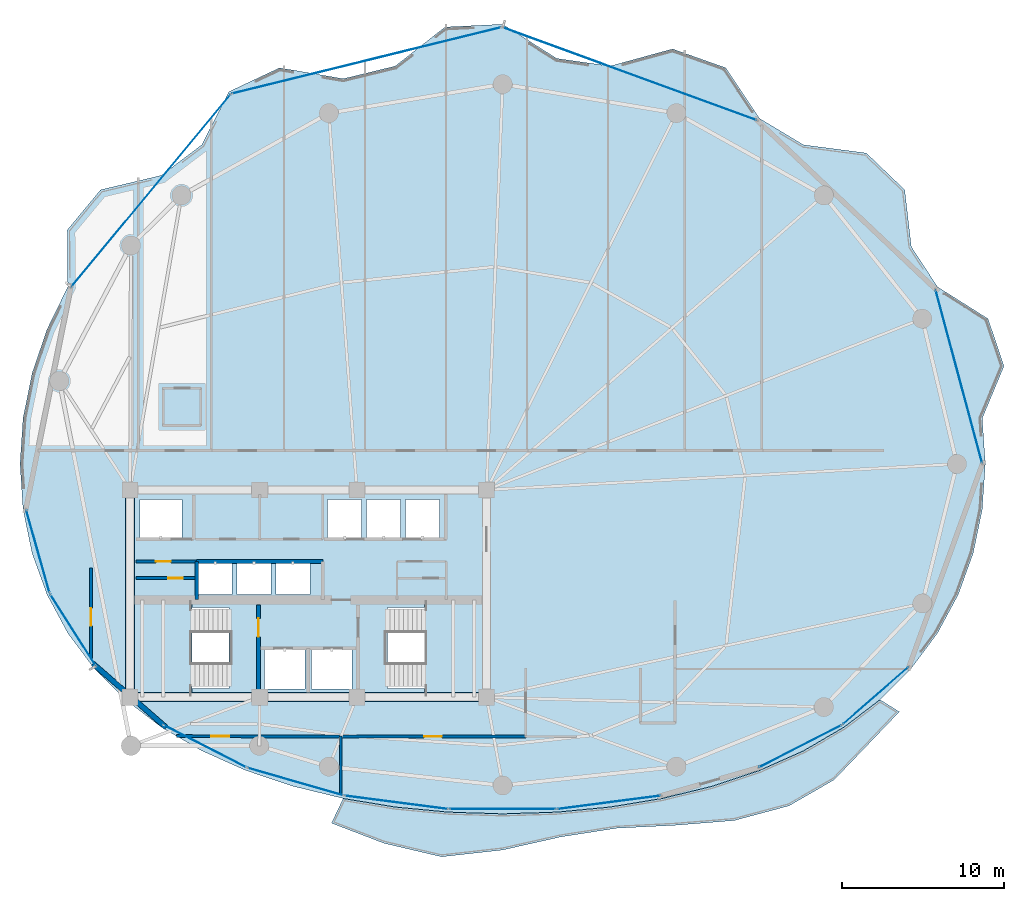
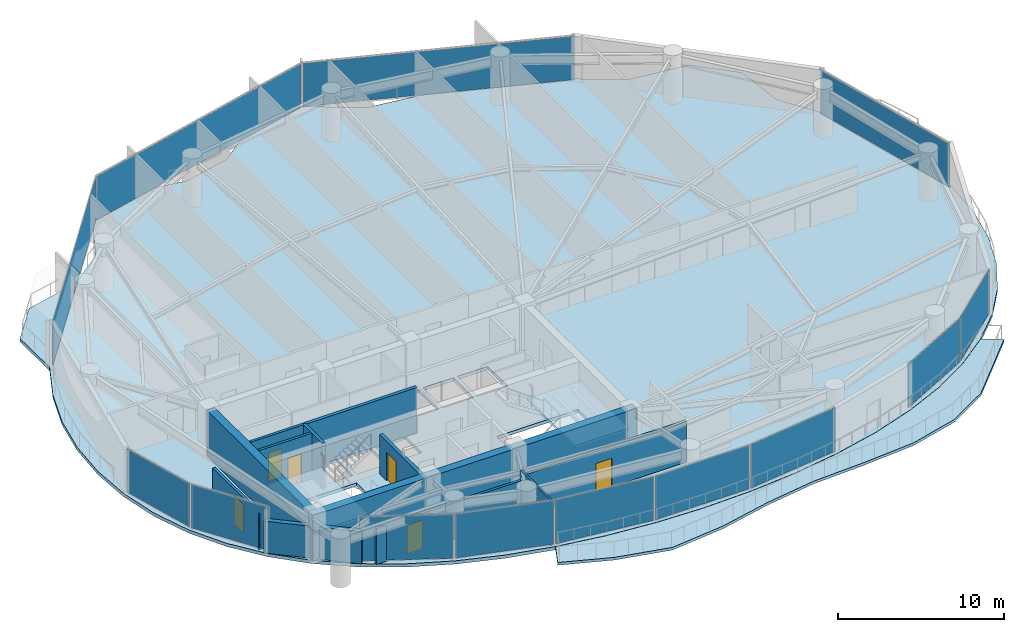
# One storey, part 22 of 28: 13 plates, 12 walls, 6 doors, 4 slabs, 6 openings, 15 elements without a shape of their own.
"""IFC4 building model written with IfcOpenShell, lengths in metres."""

import ifcopenshell
import ifcopenshell.guid

model = None  # the IFC model being written
_history = None  # IfcOwnerHistory: only IFC2X3 demands one
_inside = {}  # id of a spatial element -> (the spatial element, [elements in it])
_under = {}  # id of a project, library or spatial element -> (it, [spatial elements below it])
_declared = {}  # id of a project -> (the project, [libraries it declares])
_typed = {}  # id of a type object -> (the type object, [elements of that type])
_made_of = {}  # id of a material, layer set ... -> (it, [elements and type objects made of it])


def new_model(schema):
    """Start an empty IFC model of exactly this schema.

    Asked for "IFC4X3", IfcOpenShell would pick the latest addendum, in which some entities
    have other attributes; the version numbers below select the first issue.
    IFC2X3 requires an IfcOwnerHistory on every rooted entity: one is made here for all.
    """
    global model, _history
    if schema == "IFC4X3":
        model = ifcopenshell.file(schema_version=(4, 3, 0, 0))
    else:
        model = ifcopenshell.file(schema=schema)
    _inside.clear()
    _under.clear()
    _declared.clear()
    _typed.clear()
    _made_of.clear()
    _history = None
    if model.schema == "IFC2X3":
        org = make("IfcOrganization", Name="unknown")
        user = make(
            "IfcPersonAndOrganization",
            ThePerson=make("IfcPerson", FamilyName="unknown"),
            TheOrganization=org,
        )
        app = make(
            "IfcApplication",
            ApplicationDeveloper=org,
            Version="unknown",
            ApplicationFullName="unknown",
            ApplicationIdentifier="unknown",
        )
        _history = make(
            "IfcOwnerHistory",
            OwningUser=user,
            OwningApplication=app,
            ChangeAction="ADDED",
            CreationDate=0,
        )
    return model


def make(cls, **values):
    """One entity of the class cls with the attributes given. An attribute that is None is left unset."""
    return model.create_entity(
        cls, **{name: value for name, value in values.items() if value is not None}
    )


def rooted(cls, **values):
    """An entity with a GlobalId (a new one), such as an element, a storey or a relation."""
    return make(cls, GlobalId=ifcopenshell.guid.new(), OwnerHistory=_history, **values)


def si_unit(unit_type, name, prefix=None):
    """IfcSIUnit, for example si_unit("LENGTHUNIT", "METRE", prefix="MILLI")."""
    return make("IfcSIUnit", UnitType=unit_type, Prefix=prefix, Name=name)


def assignment(units):
    """IfcUnitAssignment: the units of a project."""
    return None if units is None else make("IfcUnitAssignment", Units=units)


def point(xyz):
    """IfcCartesianPoint."""
    return None if xyz is None else make("IfcCartesianPoint", Coordinates=xyz)


def direction(xyz):
    """IfcDirection."""
    return None if xyz is None else make("IfcDirection", DirectionRatios=xyz)


def frame(location, z_axis=None, x_axis=None):
    """IfcAxis2Placement3D, a coordinate frame: its origin and axes. An axis left out is left unset."""
    return make(
        "IfcAxis2Placement3D",
        Location=point(location),
        Axis=direction(z_axis),
        RefDirection=direction(x_axis),
    )


def frame_2d(location, x_axis=None):
    """IfcAxis2Placement2D, a coordinate frame in the plane: its origin and x axis."""
    return make(
        "IfcAxis2Placement2D", Location=point(location), RefDirection=direction(x_axis)
    )


def origin():
    """The frame at (0, 0, 0) with its axes left unset."""
    return frame((0.0, 0.0, 0.0))


def origin_2d():
    """The frame at (0, 0) in the plane with its x axis left unset."""
    return frame_2d((0.0, 0.0))


def place(relative_to, where):
    """IfcLocalPlacement: puts the frame where relative to a parent placement (None: the world)."""
    return make(
        "IfcLocalPlacement", PlacementRelTo=relative_to, RelativePlacement=where
    )


def context(
    kind, dimensions, precision=None, world=None, true_north=None, identifier=None
):
    """IfcGeometricRepresentationContext, for example the 3D "Model" context."""
    return make(
        "IfcGeometricRepresentationContext",
        ContextIdentifier=identifier,
        ContextType=kind,
        CoordinateSpaceDimension=dimensions,
        Precision=precision,
        WorldCoordinateSystem=world,
        TrueNorth=true_north,
    )


def subcontext(parent, identifier, kind, view, scale=None):
    """IfcGeometricRepresentationSubContext, for example "Body" below "Model"."""
    return make(
        "IfcGeometricRepresentationSubContext",
        ContextIdentifier=identifier,
        ContextType=kind,
        ParentContext=parent,
        TargetScale=scale,
        TargetView=view,
    )


def project(units=None, contexts=None):
    """IfcProject with its units and contexts."""
    return rooted(
        "IfcProject",
        Name="project",
        RepresentationContexts=contexts,
        UnitsInContext=assignment(units),
    )


def spatial(cls, under=None, at=None, **own):
    """A site, building, storey or space (cls), placed at a placement, below another one or the project."""
    s = rooted(cls, ObjectPlacement=at, **own)
    if under is not None:
        _under.setdefault(under.id(), (under, []))[1].append(s)
    return s


def polyline(points):
    """IfcPolyline through the points."""
    return make("IfcPolyline", Points=[point(p) for p in points])


def profile(cls, at=None, kind="AREA", **sizes):
    """A parametric profile (cls). Its sizes go by their IFC names, for example OverallWidth=200.0."""
    return make(cls, ProfileType=kind, Position=at, **sizes)


def rectangle(**sizes):
    """IfcRectangleProfileDef."""
    return profile("IfcRectangleProfileDef", **sizes)


def outline(outer, holes=None, kind="AREA"):
    """IfcArbitraryClosedProfileDef: a profile drawn as a closed curve; with holes, ...WithVoids."""
    if holes is None:
        return make("IfcArbitraryClosedProfileDef", ProfileType=kind, OuterCurve=outer)
    return make(
        "IfcArbitraryProfileDefWithVoids",
        ProfileType=kind,
        OuterCurve=outer,
        InnerCurves=holes,
    )


def extrude(swept, where, along, depth):
    """IfcExtrudedAreaSolid: the profile swept, set in the frame where, extruded along a direction by depth."""
    return make(
        "IfcExtrudedAreaSolid",
        SweptArea=swept,
        Position=where,
        ExtrudedDirection=direction(along),
        Depth=depth,
    )


def shape(context_of_items, identifier, shape_type, items):
    """IfcShapeRepresentation: the items that make up one representation, for example the "Body"."""
    return make(
        "IfcShapeRepresentation",
        ContextOfItems=context_of_items,
        RepresentationIdentifier=identifier,
        RepresentationType=shape_type,
        Items=items,
    )


def material(Name=None, Category=None):
    """IfcMaterial."""
    return make("IfcMaterial", Name=Name, Category=Category)


def layer(
    of_material, thickness, ventilated=None, Name=None, Category=None, Priority=None
):
    """IfcMaterialLayer: one layer of a wall or slab, of a material (None: an air gap)."""
    return make(
        "IfcMaterialLayer",
        Material=of_material,
        LayerThickness=thickness,
        IsVentilated=ventilated,
        Name=Name,
        Category=Category,
        Priority=Priority,
    )


def layer_set(layers, Name=None):
    """IfcMaterialLayerSet."""
    return make("IfcMaterialLayerSet", MaterialLayers=layers, LayerSetName=Name)


def made_of(thing, what):
    """Note that an element or type object is made of a material, layer set ...; save() writes the relation."""
    if what is not None:
        _made_of.setdefault(what.id(), (what, []))[1].append(thing)
    return thing


def type_object(cls, material=None, **own):
    """A type object (cls), such as IfcWallType, which elements share."""
    return made_of(rooted(cls, **own), material)


def element(
    cls,
    number,
    at=None,
    inside=None,
    cuts=None,
    type_object=None,
    material=None,
    context=None,
    identifier="Body",
    shape_type=None,
    held_by="IfcProductDefinitionShape",
    body=None,
    shapes=None,
    **own,
):
    """One element of the class cls, such as IfcWall. Its Tag is "e" and its number.

    at: its placement. inside: the storey or other place that contains it. cuts: it is an
    opening in that element (IfcRelVoidsElement). A single representation is given by context,
    identifier, shape_type and body (its items); several are given by shapes. held_by: the class
    of the entity that holds the representations. save() writes the other relations.
    """
    e = rooted(cls, Tag="e%d" % number, ObjectPlacement=at, **own)
    if body is not None:
        shapes = [shape(context, identifier, shape_type, body)]
    if shapes is not None:
        e.Representation = make(held_by, Representations=shapes)
    if inside is not None:
        _inside.setdefault(inside.id(), (inside, []))[1].append(e)
    if cuts is not None:
        rooted(
            "IfcRelVoidsElement", RelatingBuildingElement=cuts, RelatedOpeningElement=e
        )
    if type_object is not None:
        _typed.setdefault(type_object.id(), (type_object, []))[1].append(e)
    return made_of(e, material)


def fill(opening, filler):
    """IfcRelFillsElement: the door or window that sits in an opening."""
    return rooted(
        "IfcRelFillsElement",
        RelatingOpeningElement=opening,
        RelatedBuildingElement=filler,
    )


def aggregate(whole, parts):
    """IfcRelAggregates: a whole, such as a stair, and the parts it consists of."""
    return rooted("IfcRelAggregates", RelatingObject=whole, RelatedObjects=parts)


def save(model, path):
    """Write the relations noted so far, then the file.

    IfcRelAggregates (storeys below a building ...), IfcRelContainedInSpatialStructure (elements
    in a storey), IfcRelDefinesByType, IfcRelAssociatesMaterial and IfcRelDeclares: one each for
    every whole, place, type object, material and project.
    """
    for whole, parts in _under.values():
        aggregate(whole, parts)
    for where, things in _inside.values():
        rooted(
            "IfcRelContainedInSpatialStructure",
            RelatedElements=things,
            RelatingStructure=where,
        )
    for kind, things in _typed.values():
        rooted("IfcRelDefinesByType", RelatedObjects=things, RelatingType=kind)
    for what, things in _made_of.values():
        rooted("IfcRelAssociatesMaterial", RelatedObjects=things, RelatingMaterial=what)
    for by, libraries in _declared.values():
        rooted("IfcRelDeclares", RelatingContext=by, RelatedDefinitions=libraries)
    model.write(path)


model = new_model("IFC4")

# Units and contexts
model_context = context("Model", 3, precision=1e-05, world=origin(), true_north=direction((0.0, 1.0)))
body_context = subcontext(model_context, "Body", "Model", "MODEL_VIEW")
ifc_project = project(units=[si_unit("LENGTHUNIT", "METRE"), si_unit("AREAUNIT", "SQUARE_METRE"), si_unit("VOLUMEUNIT", "CUBIC_METRE"), si_unit("PLANEANGLEUNIT", "RADIAN"), si_unit("MASSUNIT", "GRAM", prefix="KILO")], contexts=[model_context])

# Site, building, storey
site_placement = place(None, origin())
site = spatial("IfcSite", under=ifc_project, at=site_placement, CompositionType="ELEMENT")
building_placement = place(site_placement, origin())
building = spatial("IfcBuilding", under=site, at=building_placement, Name="Kazevale Care Tower and Concert Hall", CompositionType="ELEMENT")
storey_placement = place(building_placement, frame((0.0, 0.0, 135.0)))
storey = spatial("IfcBuildingStorey", under=building, at=storey_placement, Name="L35", CompositionType="ELEMENT", Elevation=135.0)

# Curtain wall, plate
ifc_material_1 = material(Name="Aluminium 6063-T6 and Low-E Glass", Category="aluminium")
ifc_layer_1 = layer(ifc_material_1, 0.179931640625)
ifc_layer_set_1 = layer_set([ifc_layer_1], Name="Aluminium 6063-T6 and Low-E Glass")
curtain_wall_type_1 = type_object("IfcCurtainWallType", Name="Convex Checkerboard Finned Curtain Wall CW-2", PredefinedType="NOTDEFINED", material=ifc_layer_set_1)
curtain_wall_1_placement = place(storey_placement, origin())
curtain_wall_1 = element("IfcCurtainWall", 1, at=curtain_wall_1_placement, inside=storey, type_object=curtain_wall_type_1, Name="cw:L35:f14", PredefinedType="NOTDEFINED")
ifc_material_2 = material(Name="Low-E Laminated Glass", Category="glass")
ifc_layer_2 = layer(ifc_material_2, 0.028076171875)
ifc_layer_set_2 = layer_set([ifc_layer_2], Name="Low-E Laminated Glass")
plate_type_1 = type_object("IfcPlateType", Name="CW-2 Low-E Glazing Panel 28mm", PredefinedType="CURTAIN_PANEL", material=ifc_layer_set_2)
plate_1_placement = place(storey_placement, frame((23.285888671875, 54.87255859375, 0.074951171875), z_axis=(0.0, 0.0, 1.0), x_axis=(0.637984048061, 0.770049579196, 0.0)))
plate_1 = element("IfcPlate", 2, at=plate_1_placement, type_object=plate_type_1, Name="CW-2 panel 1.1", PredefinedType="CURTAIN_PANEL", context=body_context, shape_type="SweptSolid", body=[
    extrude(rectangle(XDim=15.3701171875, YDim=0.028076171875, at=origin_2d()), origin(), (0.0, 0.0, 1.0), 3.2099609375),
])
aggregate(curtain_wall_1, [plate_1])

curtain_wall_2_placement = place(storey_placement, origin())
curtain_wall_2 = element("IfcCurtainWall", 3, at=curtain_wall_2_placement, inside=storey, type_object=curtain_wall_type_1, Name="cw:L35:f16", PredefinedType="NOTDEFINED")
plate_2_placement = place(storey_placement, frame((52.839599609375, 62.08544921875, 0.074951171875), z_axis=(0.0, 0.0, 1.0), x_axis=(0.939283008641, -0.343143453498, 0.0)))
plate_2 = element("IfcPlate", 4, at=plate_2_placement, type_object=plate_type_1, Name="CW-2 panel 1.1", PredefinedType="CURTAIN_PANEL", context=body_context, shape_type="SweptSolid", body=[
    extrude(rectangle(XDim=16.634765625, YDim=0.028076171875, at=origin_2d()), origin(), (0.0, 0.0, 1.0), 3.2099609375),
])
aggregate(curtain_wall_2, [plate_2])

ifc_layer_3 = layer(ifc_material_1, 0.179931640625)
ifc_layer_set_3 = layer_set([ifc_layer_3], Name="Aluminium 6063-T6 and Low-E Glass")
curtain_wall_type_2 = type_object("IfcCurtainWallType", Name="Convex Recessed Sunroom Curtain Wall CW-3", PredefinedType="NOTDEFINED", material=ifc_layer_set_3)
curtain_wall_3_placement = place(storey_placement, origin())
curtain_wall_3 = element("IfcCurtainWall", 5, at=curtain_wall_3_placement, inside=storey, type_object=curtain_wall_type_2, Name="cw:L35:f15", PredefinedType="NOTDEFINED")
ifc_layer_4 = layer(ifc_material_2, 0.028076171875)
ifc_layer_set_4 = layer_set([ifc_layer_4], Name="Low-E Laminated Glass")
plate_type_2 = type_object("IfcPlateType", Name="CW-3 Low-E Glazing Panel 28mm", PredefinedType="CURTAIN_PANEL", material=ifc_layer_set_4)
plate_3_placement = place(storey_placement, frame((36.595947265625, 62.909423828125, 0.074951171875), z_axis=(0.0, 0.0, 1.0), x_axis=(0.970997657217, 0.239088999495, 0.0)))
plate_3 = element("IfcPlate", 6, at=plate_3_placement, type_object=plate_type_2, Name="CW-3 panel 1.1", PredefinedType="CURTAIN_PANEL", context=body_context, shape_type="SweptSolid", body=[
    extrude(rectangle(XDim=17.061279296875, YDim=0.028076171875, at=origin_2d()), origin(), (0.0, 0.0, 1.0), 3.2099609375),
])
aggregate(curtain_wall_3, [plate_3])

ifc_layer_5 = layer(ifc_material_1, 0.179931640625)
ifc_layer_set_5 = layer_set([ifc_layer_5], Name="Aluminium 6063-T6 and Low-E Glass")
curtain_wall_type_3 = type_object("IfcCurtainWallType", Name="Waist & Upper Residential Curtain Wall CW-4", PredefinedType="NOTDEFINED", material=ifc_layer_set_5)
curtain_wall_4_placement = place(storey_placement, origin())
curtain_wall_4 = element("IfcCurtainWall", 7, at=curtain_wall_4_placement, inside=storey, type_object=curtain_wall_type_3, Name="cw:L35:f11", PredefinedType="NOTDEFINED")
ifc_layer_6 = layer(ifc_material_2, 0.030029296875)
ifc_layer_set_6 = layer_set([ifc_layer_6], Name="Low-E Laminated Glass")
plate_type_3 = type_object("IfcPlateType", Name="CW-4 Low-E Glazing Panel 30mm", PredefinedType="CURTAIN_PANEL", material=ifc_layer_set_6)
plate_4_placement = place(storey_placement, frame((18.470458984375, 27.75244140625, 0.080078125), z_axis=(0.0, 0.0, 1.0), x_axis=(-0.537239193981, 0.843429930967, 0.0)))
plate_4 = element("IfcPlate", 8, at=plate_4_placement, type_object=plate_type_3, Name="CW-4 panel 1.1", PredefinedType="CURTAIN_PANEL", context=body_context, shape_type="SweptSolid", body=[
    extrude(rectangle(XDim=5.176513671875, YDim=0.030029296875, at=origin_2d()), origin(), (0.0, 0.0, 1.0), 3.199951171875),
])
aggregate(curtain_wall_4, [plate_4])

curtain_wall_5_placement = place(storey_placement, origin())
curtain_wall_5 = element("IfcCurtainWall", 9, at=curtain_wall_5_placement, inside=storey, type_object=curtain_wall_type_3, Name="cw:L35:f12", PredefinedType="NOTDEFINED")
plate_5_placement = place(storey_placement, frame((16.301513671875, 32.612548828125, 0.080078125), z_axis=(0.0, 0.0, 1.0), x_axis=(-0.271284948278, 0.962499078876, 0.0)))
plate_5 = element("IfcPlate", 10, at=plate_5_placement, type_object=plate_type_3, Name="CW-4 panel 1.1", PredefinedType="CURTAIN_PANEL", context=body_context, shape_type="SweptSolid", body=[
    extrude(rectangle(XDim=5.262451171875, YDim=0.030029296875, at=origin_2d()), origin(), (0.0, 0.0, 1.0), 3.199951171875),
])
aggregate(curtain_wall_5, [plate_5])

curtain_wall_6_placement = place(storey_placement, origin())
curtain_wall_6 = element("IfcCurtainWall", 11, at=curtain_wall_6_placement, inside=storey, type_object=curtain_wall_type_3, Name="cw:L35:f18", PredefinedType="NOTDEFINED")
plate_6_placement = place(storey_placement, frame((73.169921875, 43.401611328125, 0.080078125), z_axis=(0.0, 0.0, 1.0), x_axis=(0.259264848961, -0.965806263229, 0.0)))
plate_6 = element("IfcPlate", 12, at=plate_6_placement, type_object=plate_type_3, Name="CW-4 panel 1.1", PredefinedType="CURTAIN_PANEL", context=body_context, shape_type="SweptSolid", body=[
    extrude(rectangle(XDim=11.025390625, YDim=0.030029296875, at=origin_2d()), origin(), (0.0, 0.0, 1.0), 3.199951171875),
])
aggregate(curtain_wall_6, [plate_6])

ifc_layer_7 = layer(ifc_material_1, 0.179931640625)
ifc_layer_set_7 = layer_set([ifc_layer_7], Name="Aluminium 6063-T6 and Low-E Glass")
curtain_wall_type_4 = type_object("IfcCurtainWallType", Name="Sheltered Concave Balcony Curtain Wall CW-5", PredefinedType="NOTDEFINED", material=ifc_layer_set_7)
curtain_wall_7_placement = place(storey_placement, origin())
curtain_wall_7 = element("IfcCurtainWall", 13, at=curtain_wall_7_placement, inside=storey, type_object=curtain_wall_type_4, Name="cw:L35:f02", PredefinedType="NOTDEFINED")
ifc_layer_8 = layer(ifc_material_2, 0.02587890625)
ifc_layer_set_8 = layer_set([ifc_layer_8], Name="Low-E Laminated Glass")
plate_type_4 = type_object("IfcPlateType", Name="CW-5 Low-E Glazing Panel 26mm", PredefinedType="CURTAIN_PANEL", material=ifc_layer_set_8)
plate_7_placement = place(storey_placement, frame((68.033447265625, 23.699951171875, 0.074951171875), z_axis=(0.0, 0.0, 1.0), x_axis=(-0.753062779437, -0.657948668382, 0.0)))
plate_7 = element("IfcPlate", 14, at=plate_7_placement, type_object=plate_type_4, Name="CW-5 panel 1.1", PredefinedType="CURTAIN_PANEL", context=body_context, shape_type="SweptSolid", body=[
    extrude(rectangle(XDim=5.32763671875, YDim=0.02587890625, at=origin_2d()), origin(), (0.0, 0.0, 1.0), 3.2099609375),
])
aggregate(curtain_wall_7, [plate_7])

curtain_wall_8_placement = place(storey_placement, origin())
curtain_wall_8 = element("IfcCurtainWall", 15, at=curtain_wall_8_placement, inside=storey, type_object=curtain_wall_type_4, Name="cw:L35:f03", PredefinedType="NOTDEFINED")
plate_8_placement = place(storey_placement, frame((63.3798828125, 20.571533203125, 0.074951171875), z_axis=(0.0, 0.0, 1.0), x_axis=(-0.890126646051, -0.455713236575, 0.0)))
plate_8 = element("IfcPlate", 16, at=plate_8_placement, type_object=plate_type_4, Name="CW-5 panel 1.1", PredefinedType="CURTAIN_PANEL", context=body_context, shape_type="SweptSolid", body=[
    extrude(rectangle(XDim=5.671630859375, YDim=0.02587890625, at=origin_2d()), origin(), (0.0, 0.0, 1.0), 3.2099609375),
])
aggregate(curtain_wall_8, [plate_8])

curtain_wall_9_placement = place(storey_placement, origin())
curtain_wall_9 = element("IfcCurtainWall", 17, at=curtain_wall_9_placement, inside=storey, type_object=curtain_wall_type_4, Name="cw:L35:f05", PredefinedType="NOTDEFINED")
plate_9_placement = place(storey_placement, frame((51.5654296875, 17.1044921875, 0.074951171875), z_axis=(0.0, 0.0, 1.0), x_axis=(-0.991685519364, -0.12868500567, 0.0)))
plate_9 = element("IfcPlate", 18, at=plate_9_placement, type_object=plate_type_4, Name="CW-5 panel 1.1", PredefinedType="CURTAIN_PANEL", context=body_context, shape_type="SweptSolid", body=[
    extrude(rectangle(XDim=6.38525390625, YDim=0.02587890625, at=origin_2d()), origin(), (0.0, 0.0, 1.0), 3.2099609375),
])
aggregate(curtain_wall_9, [plate_9])

curtain_wall_10_placement = place(storey_placement, origin())
curtain_wall_10 = element("IfcCurtainWall", 19, at=curtain_wall_10_placement, inside=storey, type_object=curtain_wall_type_4, Name="cw:L35:f06", PredefinedType="NOTDEFINED")
plate_10_placement = place(storey_placement, frame((45.0, 16.68408203125, 0.074951171875), z_axis=(0.0, 0.0, 1.0), x_axis=(-1.0, 0.0, 0.0)))
plate_10 = element("IfcPlate", 20, at=plate_10_placement, type_object=plate_type_4, Name="CW-5 panel 1.1", PredefinedType="CURTAIN_PANEL", context=body_context, shape_type="SweptSolid", body=[
    extrude(rectangle(XDim=6.5, YDim=0.02587890625, at=origin_2d()), origin(), (0.0, 0.0, 1.0), 3.2099609375),
])
aggregate(curtain_wall_10, [plate_10])

curtain_wall_11_placement = place(storey_placement, origin())
curtain_wall_11 = element("IfcCurtainWall", 21, at=curtain_wall_11_placement, inside=storey, type_object=curtain_wall_type_4, Name="cw:L35:f07", PredefinedType="NOTDEFINED")
plate_11_placement = place(storey_placement, frame((38.4345703125, 17.1044921875, 0.074951171875), z_axis=(0.0, 0.0, 1.0), x_axis=(-0.991685519364, 0.12868500567, 0.0)))
plate_11 = element("IfcPlate", 22, at=plate_11_placement, type_object=plate_type_4, Name="CW-5 panel 1.1", PredefinedType="CURTAIN_PANEL", context=body_context, shape_type="SweptSolid", body=[
    extrude(rectangle(XDim=6.38525390625, YDim=0.02587890625, at=origin_2d()), origin(), (0.0, 0.0, 1.0), 3.2099609375),
])
aggregate(curtain_wall_11, [plate_11])

curtain_wall_12_placement = place(storey_placement, origin())
curtain_wall_12 = element("IfcCurtainWall", 23, at=curtain_wall_12_placement, inside=storey, type_object=curtain_wall_type_4, Name="cw:L35:f08", PredefinedType="NOTDEFINED")
plate_12_placement = place(storey_placement, frame((32.202392578125, 18.385009765625, 0.074951171875), z_axis=(0.0, 0.0, 1.0), x_axis=(-0.961074102639, 0.276290733172, 0.0)))
plate_12 = element("IfcPlate", 24, at=plate_12_placement, type_object=plate_type_4, Name="CW-5 panel 1.1", PredefinedType="CURTAIN_PANEL", context=body_context, shape_type="SweptSolid", body=[
    extrude(rectangle(XDim=6.075439453125, YDim=0.02587890625, at=origin_2d()), origin(), (0.0, 0.0, 1.0), 3.2099609375),
])
aggregate(curtain_wall_12, [plate_12])

curtain_wall_13_placement = place(storey_placement, origin())
curtain_wall_13 = element("IfcCurtainWall", 25, at=curtain_wall_13_placement, inside=storey, type_object=curtain_wall_type_4, Name="cw:L35:f09", PredefinedType="NOTDEFINED")
plate_13_placement = place(storey_placement, frame((26.6201171875, 20.571533203125, 0.074951171875), z_axis=(0.0, 0.0, 1.0), x_axis=(-0.890126646051, 0.455713236575, 0.0)))
plate_13 = element("IfcPlate", 26, at=plate_13_placement, type_object=plate_type_4, Name="CW-5 panel 1.1", PredefinedType="CURTAIN_PANEL", context=body_context, shape_type="SweptSolid", body=[
    extrude(rectangle(XDim=5.671630859375, YDim=0.02587890625, at=origin_2d()), origin(), (0.0, 0.0, 1.0), 3.2099609375),
])
aggregate(curtain_wall_13, [plate_13])

# Slab
ifc_material_3 = material(Name="Concrete C40", Category="concrete")
ifc_layer_9 = layer(ifc_material_3, 0.199951171875)
ifc_layer_set_9 = layer_set([ifc_layer_9], Name="Concrete C40")
slab_type_1 = type_object("IfcSlabType", Name="Sinusoidal Concave Balcony Slab 200", PredefinedType="USERDEFINED", material=ifc_layer_set_9)
slab_1_placement = place(storey_placement, frame((0.0, 0.0, -0.199951171875)))
element("IfcSlab", 27, at=slab_1_placement, inside=storey, type_object=slab_type_1, Name="slab:L35:bal", ObjectType="BALCONY", PredefinedType="USERDEFINED", context=body_context, shape_type="SweptSolid", body=[
    extrude(outline(polyline([(69.493896484375, 22.69970703125), (67.515380859375, 20.634521484375), (65.46337890625, 18.4970703125), (62.68408203125, 16.893798828125), (59.302001953125, 15.986083984375), (55.6328125, 15.689453125), (52.040771484375, 15.51025390625), (48.574462890625, 14.97119140625), (45.0, 14.16650390625), (41.235107421875, 13.74462890625), (37.668701171875, 14.58251953125), (34.431640625, 15.824951171875), (35.155517578125, 17.343505859375), (35.15673828125, 17.34326171875), (38.368408203125, 16.81396484375), (41.6630859375, 16.49951171875), (45.0, 16.39501953125), (48.3369140625, 16.49951171875), (51.631591796875, 16.81396484375), (54.84326171875, 17.34326171875), (57.93115234375, 18.09375), (60.8564453125, 19.07275390625), (63.582275390625, 20.28759765625), (66.07470703125, 21.74365234375), (68.302001953125, 23.442626953125), (68.302978515625, 23.44384765625), (69.493896484375, 22.69970703125)])), origin(), (0.0, 0.0, 1.0), 0.199951171875),
])

# Stair, slab
stair_type = type_object("IfcStairType", Name="Exit Stair Assembly ST1-Z2", PredefinedType="HALF_TURN_STAIR", material=ifc_material_3)
stair_1_placement = place(storey_placement, origin())
stair_1 = element("IfcStair", 28, at=stair_1_placement, inside=storey, type_object=stair_type, Name="stair:L35:ST1", PredefinedType="HALF_TURN_STAIR")
ifc_layer_10 = layer(ifc_material_3, 0.199951171875)
ifc_layer_set_10 = layer_set([ifc_layer_10], Name="Concrete C40")
slab_type_2 = type_object("IfcSlabType", Name="Stair Half-Landing Slab ST1-Z2", PredefinedType="LANDING", material=ifc_layer_set_10)
slab_2_placement = place(storey_placement, frame((0.0, 0.0, 1.60009765625)))
slab_2 = element("IfcSlab", 29, at=slab_2_placement, type_object=slab_type_2, Name="ST1-Z2 landing 1", PredefinedType="LANDING", context=body_context, shape_type="SweptSolid", body=[
    extrude(outline(polyline([(22.050048828125, 23.699951171875), (25.81005859375, 23.699951171875), (25.81005859375, 29.5), (22.050048828125, 29.5), (22.050048828125, 23.699951171875)])), origin(), (0.0, 0.0, 1.0), 0.199951171875),
])
aggregate(stair_1, [slab_2])

stair_2_placement = place(storey_placement, origin())
stair_2 = element("IfcStair", 30, at=stair_2_placement, inside=storey, type_object=stair_type, Name="stair:L35:ST2", PredefinedType="HALF_TURN_STAIR")
slab_3_placement = place(storey_placement, frame((0.0, 0.0, 1.60009765625)))
slab_3 = element("IfcSlab", 31, at=slab_3_placement, type_object=slab_type_2, Name="ST1-Z2 landing 1", PredefinedType="LANDING", context=body_context, shape_type="SweptSolid", body=[
    extrude(outline(polyline([(40.18994140625, 23.699951171875), (43.949951171875, 23.699951171875), (43.949951171875, 29.5), (40.18994140625, 29.5), (40.18994140625, 23.699951171875)])), origin(), (0.0, 0.0, 1.0), 0.199951171875),
])
aggregate(stair_2, [slab_3])

# Slab
ifc_layer_11 = layer(ifc_material_3, 0.239990234375)
ifc_layer_set_11 = layer_set([ifc_layer_11], Name="Concrete C40")
slab_type_3 = type_object("IfcSlabType", Name="Tower Typical Floor Slab 240", PredefinedType="FLOOR", material=ifc_layer_set_11)
slab_4_placement = place(storey_placement, frame((0.0, 0.0, -0.239990234375)))
element("IfcSlab", 32, at=slab_4_placement, inside=storey, type_object=slab_type_3, Name="slab:L35:tw:1", PredefinedType="FLOOR", context=body_context, shape_type="SweptSolid", body=[
    extrude(outline(polyline([(74.800048828125, 38.0), (74.612548828125, 40.821533203125), (75.9541015625, 44.04150390625), (74.96826171875, 46.967041015625), (71.848876953125, 48.933837890625), (70.232421875, 51.4072265625), (69.822998046875, 54.927734375), (67.45068359375, 57.197998046875), (63.580078125, 57.7021484375), (60.8544921875, 59.33740234375), (58.77587890625, 62.461181640625), (55.486328125, 63.62646484375), (51.631103515625, 62.568115234375), (48.33642578125, 63.04150390625), (45.0, 65.14990234375), (41.445068359375, 64.979248046875), (38.368896484375, 62.568115234375), (35.15771484375, 61.785888671875), (31.22412109375, 62.461181640625), (28.10791015625, 60.988525390625), (26.419921875, 57.7021484375), (23.92822265625, 55.819091796875), (20.177001953125, 54.927734375), (18.116455078125, 52.444580078125), (18.151123046875, 48.933837890625), (16.872314453125, 46.322998046875), (15.947021484375, 43.607421875), (15.387451171875, 40.821533203125), (15.199951171875, 38.0), (15.387451171875, 35.197265625), (15.947021484375, 32.490234375), (16.872314453125, 29.92919921875), (18.151123046875, 27.551513671875), (19.767578125, 25.384521484375), (21.701416015625, 23.446533203125), (23.92822265625, 21.747802734375), (26.419921875, 20.2919921875), (29.1455078125, 19.077392578125), (32.0703125, 18.098388671875), (35.15771484375, 17.34814453125), (38.368896484375, 16.819091796875), (41.66357421875, 16.50439453125), (45.0, 16.39990234375), (48.33642578125, 16.50439453125), (51.631103515625, 16.819091796875), (54.84228515625, 17.34814453125), (57.9296875, 18.098388671875), (60.8544921875, 19.077392578125), (63.580078125, 20.2919921875), (66.07177734375, 21.747802734375), (68.298583984375, 23.446533203125), (70.232421875, 25.384521484375), (71.848876953125, 27.551513671875), (73.127685546875, 29.92919921875), (74.052978515625, 32.490234375), (74.612548828125, 35.197265625), (74.800048828125, 38.0)]), holes=[polyline([(22.449951171875, 24.14990234375), (28.110107421875, 24.14990234375), (28.110107421875, 29.14990234375), (22.449951171875, 29.14990234375), (22.449951171875, 24.14990234375)]), polyline([(37.889892578125, 24.14990234375), (43.550048828125, 24.14990234375), (43.550048828125, 29.14990234375), (37.889892578125, 29.14990234375), (37.889892578125, 24.14990234375)]), polyline([(30.300048828125, 24.10009765625), (32.800048828125, 24.10009765625), (32.800048828125, 26.60009765625), (30.300048828125, 26.60009765625), (30.300048828125, 24.10009765625)]), polyline([(33.199951171875, 24.10009765625), (35.699951171875, 24.10009765625), (35.699951171875, 26.60009765625), (33.199951171875, 26.60009765625), (33.199951171875, 24.10009765625)]), polyline([(22.60009765625, 33.39990234375), (25.199951171875, 33.39990234375), (25.199951171875, 35.800048828125), (22.60009765625, 35.800048828125), (22.60009765625, 33.39990234375)]), polyline([(34.199951171875, 33.39990234375), (36.300048828125, 33.39990234375), (36.300048828125, 35.800048828125), (34.199951171875, 35.800048828125), (34.199951171875, 33.39990234375)]), polyline([(36.60009765625, 33.39990234375), (38.699951171875, 33.39990234375), (38.699951171875, 35.800048828125), (36.60009765625, 35.800048828125), (36.60009765625, 33.39990234375)]), polyline([(39.0, 33.39990234375), (41.10009765625, 33.39990234375), (41.10009765625, 35.800048828125), (39.0, 35.800048828125), (39.0, 33.39990234375)]), polyline([(26.199951171875, 29.949951171875), (28.300048828125, 29.949951171875), (28.300048828125, 31.949951171875), (26.199951171875, 31.949951171875), (26.199951171875, 29.949951171875)]), polyline([(28.60009765625, 29.949951171875), (30.699951171875, 29.949951171875), (30.699951171875, 31.949951171875), (28.60009765625, 31.949951171875), (28.60009765625, 29.949951171875)]), polyline([(31.0, 29.949951171875), (33.10009765625, 29.949951171875), (33.10009765625, 31.949951171875), (31.0, 31.949951171875), (31.0, 29.949951171875)])]), origin(), (0.0, 0.0, 1.0), 0.239990234375),
])

# Walls
ifc_material_4 = material(Name="Acoustic Gypsum on Steel Stud", Category="steel")
ifc_layer_12 = layer(ifc_material_4, 0.139892578125)
ifc_layer_set_12 = layer_set([ifc_layer_12], Name="Acoustic Gypsum on Steel Stud")
wall_type_1 = type_object("IfcWallType", Name="Acoustic Care & Suite Partition 140", PredefinedType="PARTITIONING", material=ifc_layer_set_12)
wall_1_placement = place(storey_placement, frame((35.0, 21.205078125, 0.0), z_axis=(0.0, 0.0, 1.0), x_axis=(0.0, -1.0, 0.0)))
element("IfcWall", 33, at=wall_1_placement, inside=storey, type_object=wall_type_1, Name="wall:L35:auto_030", PredefinedType="PARTITIONING", context=body_context, shape_type="SweptSolid", body=[
    extrude(rectangle(XDim=3.6142578125, YDim=0.139892578125, at=frame_2d((1.80712890625, 0.0))), origin(), (0.0, 0.0, 1.0), 3.360107421875),
])
ifc_material_5 = material(Name="Concrete C60", Category="concrete")
ifc_layer_13 = layer(ifc_material_5, 0.550048828125)
ifc_layer_set_13 = layer_set([ifc_layer_13], Name="Concrete C60")
wall_type_2 = type_object("IfcWallType", Name="Core Shear Wall 550 C60", PredefinedType="SHEAR", material=ifc_layer_set_13)
wall_2_placement = place(storey_placement, frame((21.72509765625, 23.60009765625, 0.0), z_axis=(0.0, 0.0, 1.0), x_axis=(1.0, 0.0, 0.0)))
element("IfcWall", 34, at=wall_2_placement, inside=storey, type_object=wall_type_2, Name="wall:L35:core:S", PredefinedType="SHEAR", context=body_context, shape_type="SweptSolid", body=[
    extrude(rectangle(XDim=22.5498046875, YDim=0.550048828125, at=frame_2d((11.27490234375, 0.0))), origin(), (0.0, 0.0, 1.0), 3.360107421875),
])
wall_3_placement = place(storey_placement, frame((22.0, 23.875, 0.0), z_axis=(0.0, 0.0, 1.0), x_axis=(0.0, 1.0, 0.0)))
element("IfcWall", 35, at=wall_3_placement, inside=storey, type_object=wall_type_2, Name="wall:L35:core:W", PredefinedType="SHEAR", context=body_context, shape_type="SweptSolid", body=[
    extrude(rectangle(XDim=12.25, YDim=0.550048828125, at=frame_2d((6.125, 0.0))), origin(), (0.0, 0.0, 1.0), 3.360107421875),
])
ifc_layer_14 = layer(ifc_material_3, 0.219970703125)
ifc_layer_set_14 = layer_set([ifc_layer_14], Name="Concrete C40")
wall_type_3 = type_object("IfcWallType", Name="Elevator Hoistway Shaft Wall 220", PredefinedType="SOLIDWALL", material=ifc_layer_set_14)
wall_4_placement = place(storey_placement, frame((26.10009765625, 29.6201171875, 0.0), z_axis=(0.0, 0.0, 1.0), x_axis=(0.0, 1.0, 0.0)))
element("IfcWall", 36, at=wall_4_placement, inside=storey, type_object=wall_type_3, Name="wall:L35:c_ph_w", PredefinedType="SOLIDWALL", context=body_context, shape_type="SweptSolid", body=[
    extrude(rectangle(XDim=2.35986328125, YDim=0.219970703125, at=frame_2d((1.179931640625, 0.0))), origin(), (0.0, 0.0, 1.0), 3.360107421875),
])
wall_5_placement = place(storey_placement, frame((26.10009765625, 31.97998046875, 0.0), z_axis=(0.0, 0.0, 1.0), x_axis=(1.0, 0.0, 0.0)))
element("IfcWall", 37, at=wall_5_placement, inside=storey, type_object=wall_type_3, Name="wall:L35:c_ph_n", PredefinedType="SOLIDWALL", context=body_context, shape_type="SweptSolid", body=[
    extrude(rectangle(XDim=7.7998046875, YDim=0.219970703125, at=frame_2d((3.89990234375, 0.0))), origin(), (0.0, 0.0, 1.0), 3.360107421875),
])

# Wall, opening, door
ifc_material_6 = material(Name="Concrete C40 and Acoustic Gypsum", Category="concrete")
ifc_layer_15 = layer(ifc_material_6, 0.179931640625)
ifc_layer_set_15 = layer_set([ifc_layer_15], Name="Concrete C40 and Acoustic Gypsum")
wall_type_4 = type_object("IfcWallType", Name="Fire-Rated Corridor & Party Wall 180", PredefinedType="PARTITIONING", material=ifc_layer_set_15)
wall_6_placement = place(storey_placement, frame((22.35009765625, 30.949951171875, 0.0), z_axis=(0.0, 0.0, 1.0), x_axis=(1.0, 0.0, 0.0)))
wall_6 = element("IfcWall", 38, at=wall_6_placement, inside=storey, type_object=wall_type_4, Name="wall:L35:kc_wm", PredefinedType="PARTITIONING", context=body_context, shape_type="SweptSolid", body=[
    extrude(rectangle(XDim=3.75, YDim=0.179931640625, at=frame_2d((1.875, 0.0))), origin(), (0.0, 0.0, 1.0), 3.360107421875),
])
opening_1_placement = place(wall_6_placement, frame((1.988037109375, 0.0, 0.0)))
opening_1 = element("IfcOpeningElement", 39, at=opening_1_placement, cuts=wall_6, Name="Opening ID-900", PredefinedType="OPENING", context=body_context, shape_type="SweptSolid", body=[
    extrude(rectangle(XDim=0.919921875, YDim=2.10009765625, at=frame_2d((0.4599609375, 1.050048828125))), frame((0.0, 0.099853515625, 0.0), z_axis=(0.0, -1.0, 0.0), x_axis=(1.0, 0.0, 0.0)), (0.0, 0.0, 1.0), 0.199951171875),
])
ifc_material_7 = material(Name="Oak Timber Fire Leaf", Category="wood")
door_type_1 = type_object("IfcDoorType", Name="Bathroom & Service Door 920x2100", OperationType="NOTDEFINED", PredefinedType="DOOR", material=ifc_material_7)
door_1_placement = place(opening_1_placement, origin())
door_1 = element("IfcDoor", 40, at=door_1_placement, inside=storey, type_object=door_type_1, Name="door:L35:d_kcwb", OperationType="SINGLE_SWING_RIGHT", OverallHeight=2.10009765625, OverallWidth=0.919921875, PredefinedType="DOOR", context=body_context, shape_type="SweptSolid", body=[
    extrude(rectangle(XDim=0.919921875, YDim=2.10009765625, at=frame_2d((0.4599609375, 1.050048828125))), frame((0.0, 0.02490234375, 0.0), z_axis=(0.0, -1.0, 0.0), x_axis=(1.0, 0.0, 0.0)), (0.0, 0.0, 1.0), 0.050048828125),
])
fill(opening_1, door_1)

wall_7_placement = place(storey_placement, frame((22.35009765625, 31.97998046875, 0.0), z_axis=(0.0, 0.0, 1.0), x_axis=(1.0, 0.0, 0.0)))
wall_7 = element("IfcWall", 41, at=wall_7_placement, inside=storey, type_object=wall_type_4, Name="wall:L35:kc_wn", PredefinedType="PARTITIONING", context=body_context, shape_type="SweptSolid", body=[
    extrude(rectangle(XDim=3.75, YDim=0.179931640625, at=frame_2d((1.875, 0.0))), origin(), (0.0, 0.0, 1.0), 3.360107421875),
])
opening_2_placement = place(wall_7_placement, frame((1.238037109375, 0.0, 0.0)))
opening_2 = element("IfcOpeningElement", 42, at=opening_2_placement, cuts=wall_7, Name="Opening ID-900", PredefinedType="OPENING", context=body_context, shape_type="SweptSolid", body=[
    extrude(rectangle(XDim=0.919921875, YDim=2.10009765625, at=frame_2d((0.4599609375, 1.050048828125))), frame((0.0, 0.099853515625, 0.0), z_axis=(0.0, -1.0, 0.0), x_axis=(1.0, 0.0, 0.0)), (0.0, 0.0, 1.0), 0.199951171875),
])
door_2_placement = place(opening_2_placement, origin())
door_2 = element("IfcDoor", 43, at=door_2_placement, inside=storey, type_object=door_type_1, Name="door:L35:d_kcwt", OperationType="SINGLE_SWING_LEFT", OverallHeight=2.10009765625, OverallWidth=0.919921875, PredefinedType="DOOR", context=body_context, shape_type="SweptSolid", body=[
    extrude(rectangle(XDim=0.919921875, YDim=2.10009765625, at=frame_2d((0.4599609375, 1.050048828125))), frame((0.0, 0.02490234375, 0.0), z_axis=(0.0, -1.0, 0.0), x_axis=(1.0, 0.0, 0.0)), (0.0, 0.0, 1.0), 0.050048828125),
])
fill(opening_2, door_2)

wall_8_placement = place(storey_placement, frame((35.06494140625, 21.175048828125, 0.0), z_axis=(0.0, 0.0, 1.0), x_axis=(-0.999998434459, 0.001769485513, 0.0)))
wall_8 = element("IfcWall", 44, at=wall_8_placement, inside=storey, type_object=wall_type_4, Name="wall:L35:auto_016", PredefinedType="PARTITIONING", context=body_context, shape_type="SweptSolid", body=[
    extrude(rectangle(XDim=10.2099609375, YDim=0.179931640625, at=frame_2d((5.10498046875, 0.0))), origin(), (0.0, 0.0, 1.0), 2.656982421875),
])
opening_3_placement = place(wall_8_placement, frame((6.955078125, 0.0, 0.0)))
opening_3 = element("IfcOpeningElement", 45, at=opening_3_placement, cuts=wall_8, Name="Opening ID-1100", PredefinedType="OPENING", context=body_context, shape_type="SweptSolid", body=[
    extrude(rectangle(XDim=1.10009765625, YDim=2.10009765625, at=frame_2d((0.550048828125, 1.050048828125))), frame((0.0, 0.099853515625, 0.0), z_axis=(0.0, -1.0, 0.0), x_axis=(1.0, 0.0, 0.0)), (0.0, 0.0, 1.0), 0.199951171875),
])
door_type_2 = type_object("IfcDoorType", Name="Care Bedroom Accessible Door 1100x2100", OperationType="NOTDEFINED", PredefinedType="DOOR", material=ifc_material_7)
door_3_placement = place(opening_3_placement, origin())
door_3 = element("IfcDoor", 46, at=door_3_placement, inside=storey, type_object=door_type_2, Name="door:L35:ad_016", OperationType="SINGLE_SWING_LEFT", OverallHeight=2.10009765625, OverallWidth=1.10009765625, PredefinedType="DOOR", context=body_context, shape_type="SweptSolid", body=[
    extrude(rectangle(XDim=1.10009765625, YDim=2.10009765625, at=frame_2d((0.550048828125, 1.050048828125))), frame((0.0, 0.02490234375, 0.0), z_axis=(0.0, -1.0, 0.0), x_axis=(1.0, 0.0, 0.0)), (0.0, 0.0, 1.0), 0.050048828125),
])
fill(opening_3, door_3)

wall_9_placement = place(storey_placement, frame((46.455078125, 21.175048828125, 0.0), z_axis=(0.0, 0.0, 1.0), x_axis=(-1.0, 0.0, 0.0)))
wall_9 = element("IfcWall", 47, at=wall_9_placement, inside=storey, type_object=wall_type_4, Name="wall:L35:auto_017", PredefinedType="PARTITIONING", context=body_context, shape_type="SweptSolid", body=[
    extrude(rectangle(XDim=11.52001953125, YDim=0.179931640625, at=frame_2d((5.760009765625, 0.0))), origin(), (0.0, 0.0, 1.0), 2.99609375),
])
opening_4_placement = place(wall_9_placement, frame((5.2099609375, 0.0, 0.0)))
opening_4 = element("IfcOpeningElement", 48, at=opening_4_placement, cuts=wall_9, Name="Opening ID-1100", PredefinedType="OPENING", context=body_context, shape_type="SweptSolid", body=[
    extrude(rectangle(XDim=1.10009765625, YDim=2.10009765625, at=frame_2d((0.550048828125, 1.050048828125))), frame((0.0, 0.099853515625, 0.0), z_axis=(0.0, -1.0, 0.0), x_axis=(1.0, 0.0, 0.0)), (0.0, 0.0, 1.0), 0.199951171875),
])
door_4_placement = place(opening_4_placement, origin())
door_4 = element("IfcDoor", 49, at=door_4_placement, inside=storey, type_object=door_type_2, Name="door:L35:ad_017", OperationType="SINGLE_SWING_LEFT", OverallHeight=2.10009765625, OverallWidth=1.10009765625, PredefinedType="DOOR", context=body_context, shape_type="SweptSolid", body=[
    extrude(rectangle(XDim=1.10009765625, YDim=2.10009765625, at=frame_2d((0.550048828125, 1.050048828125))), frame((0.0, 0.02490234375, 0.0), z_axis=(0.0, -1.0, 0.0), x_axis=(1.0, 0.0, 0.0)), (0.0, 0.0, 1.0), 0.050048828125),
])
fill(opening_4, door_4)

wall_10_placement = place(storey_placement, frame((19.59521484375, 25.99658203125, 0.0), z_axis=(0.0, 0.0, 1.0), x_axis=(-0.003639049913, 0.999993378636, 0.0)))
wall_10 = element("IfcWall", 50, at=wall_10_placement, inside=storey, type_object=wall_type_4, Name="wall:L35:auto_018", PredefinedType="PARTITIONING", context=body_context, shape_type="SweptSolid", body=[
    extrude(rectangle(XDim=5.568359375, YDim=0.179931640625, at=frame_2d((2.7841796875, 0.0))), origin(), (0.0, 0.0, 1.0), 2.656982421875),
])
opening_5_placement = place(wall_10_placement, frame((2.00390625, 0.0, 0.0)))
opening_5 = element("IfcOpeningElement", 51, at=opening_5_placement, cuts=wall_10, Name="Opening ID-1100", PredefinedType="OPENING", context=body_context, shape_type="SweptSolid", body=[
    extrude(rectangle(XDim=1.10009765625, YDim=2.10009765625, at=frame_2d((0.550048828125, 1.050048828125))), frame((0.0, 0.099853515625, 0.0), z_axis=(0.0, -1.0, 0.0), x_axis=(1.0, 0.0, 0.0)), (0.0, 0.0, 1.0), 0.199951171875),
])
door_5_placement = place(opening_5_placement, origin())
door_5 = element("IfcDoor", 52, at=door_5_placement, inside=storey, type_object=door_type_2, Name="door:L35:ad_018", OperationType="SINGLE_SWING_LEFT", OverallHeight=2.10009765625, OverallWidth=1.10009765625, PredefinedType="DOOR", context=body_context, shape_type="SweptSolid", body=[
    extrude(rectangle(XDim=1.10009765625, YDim=2.10009765625, at=frame_2d((0.550048828125, 1.050048828125))), frame((0.0, 0.02490234375, 0.0), z_axis=(0.0, -1.0, 0.0), x_axis=(1.0, 0.0, 0.0)), (0.0, 0.0, 1.0), 0.050048828125),
])
fill(opening_5, door_5)

ifc_layer_16 = layer(ifc_material_3, 0.25)
ifc_layer_set_16 = layer_set([ifc_layer_16], Name="Concrete C40")
wall_type_5 = type_object("IfcWallType", Name="Pressurized Stair Shaft Wall 250", PredefinedType="SOLIDWALL", material=ifc_layer_set_16)
wall_11_placement = place(storey_placement, frame((29.919921875, 23.89990234375, 0.0), z_axis=(0.0, 0.0, 1.0), x_axis=(0.0, 1.0, 0.0)))
wall_11 = element("IfcWall", 53, at=wall_11_placement, inside=storey, type_object=wall_type_5, Name="wall:L35:c_st1_e", PredefinedType="SOLIDWALL", context=body_context, shape_type="SweptSolid", body=[
    extrude(rectangle(XDim=5.400146484375, YDim=0.25, at=frame_2d((2.7001953125, 0.0))), origin(), (0.0, 0.0, 1.0), 2.889892578125),
])
opening_6_placement = place(wall_11_placement, frame((3.4208984375, 0.0, 0.0)))
opening_6 = element("IfcOpeningElement", 54, at=opening_6_placement, cuts=wall_11, Name="Opening FD-90", PredefinedType="OPENING", context=body_context, shape_type="SweptSolid", body=[
    extrude(rectangle(XDim=1.14990234375, YDim=2.10009765625, at=frame_2d((0.574951171875, 1.050048828125))), frame((0.0, 0.135009765625, 0.0), z_axis=(0.0, -1.0, 0.0), x_axis=(1.0, 0.0, 0.0)), (0.0, 0.0, 1.0), 0.27001953125),
])
ifc_material_8 = material(Name="Steel ASTM A572 Gr 50", Category="steel")
door_type_3 = type_object("IfcDoorType", Name="Pressurized Stair & Lobby Fire Door 1150x2100", OperationType="NOTDEFINED", PredefinedType="DOOR", material=ifc_material_8)
door_6_placement = place(opening_6_placement, origin())
door_6 = element("IfcDoor", 55, at=door_6_placement, inside=storey, type_object=door_type_3, Name="door:L35:st1", OperationType="SINGLE_SWING_RIGHT", OverallHeight=2.10009765625, OverallWidth=1.14990234375, PredefinedType="DOOR", context=body_context, shape_type="SweptSolid", body=[
    extrude(rectangle(XDim=1.14990234375, YDim=2.10009765625, at=frame_2d((0.574951171875, 1.050048828125))), frame((0.0, 0.02490234375, 0.0), z_axis=(0.0, -1.0, 0.0), x_axis=(1.0, 0.0, 0.0)), (0.0, 0.0, 1.0), 0.050048828125),
])
fill(opening_6, door_6)

# Wall
ifc_material_9 = material(Name="Concrete C40 with Honed Limestone Cladding", Category="masonry")
ifc_layer_17 = layer(ifc_material_9, 0.320068359375)
ifc_layer_set_17 = layer_set([ifc_layer_17], Name="Concrete C40 with Honed Limestone Cladding")
wall_type_6 = type_object("IfcWallType", Name="Tower Honed Limestone Spandrel Wall 320", PredefinedType="STANDARD", material=ifc_layer_set_17)
wall_12_placement = place(storey_placement, frame((24.22509765625, 21.72705078125, 0.0), z_axis=(0.0, 0.0, 1.0), x_axis=(-0.753105964003, 0.657899237713, 0.0)))
element("IfcWall", 56, at=wall_12_placement, inside=storey, type_object=wall_type_6, Name="wall:cw:L35:f10", PredefinedType="STANDARD", context=body_context, shape_type="SweptSolid", body=[
    extrude(rectangle(XDim=5.998046875, YDim=0.320068359375, at=frame_2d((2.9990234375, 0.0))), origin(), (0.0, 0.0, 1.0), 2.35009765625),
])

save(model, "model.ifc")
